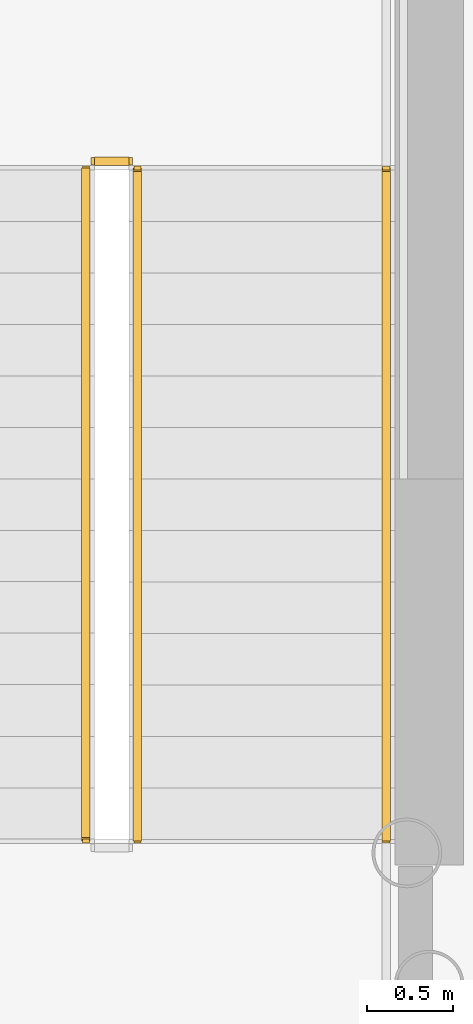
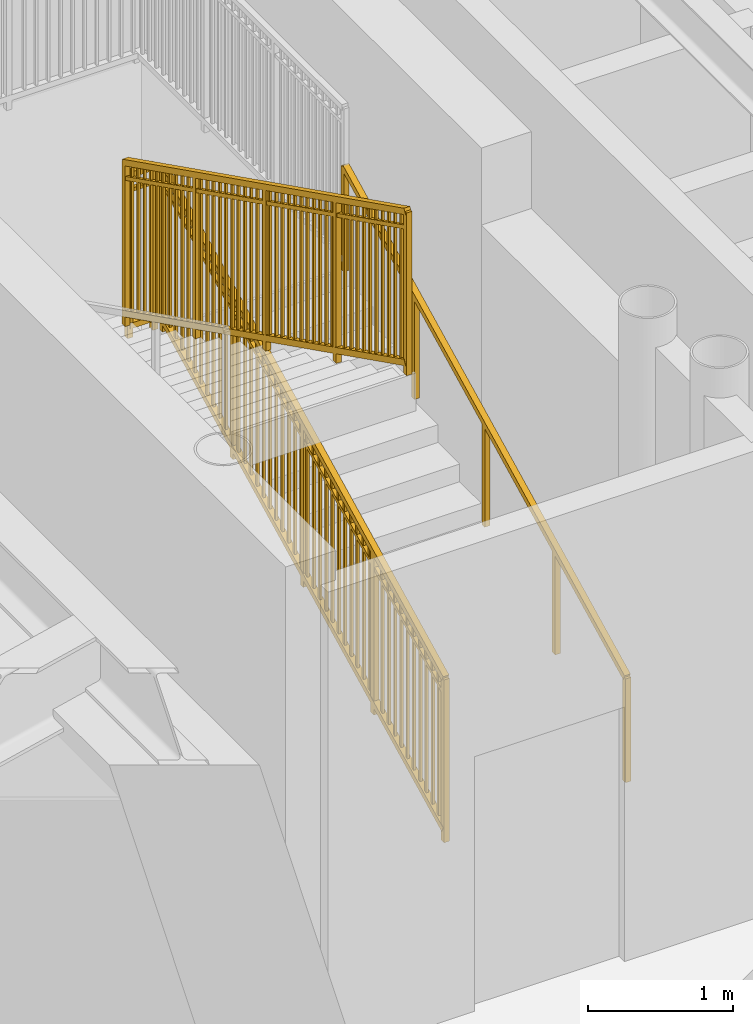
# One storey, part 19 of 24: 4 railings.
"""IFC4 building model written with IfcOpenShell, lengths in metres."""

from ifc_helpers import new_model, si_unit, direction, frame, origin, origin_2d, place, context, subcontext, project, spatial, rectangle, extrude, source, transform, mapped, material, type_object, element, save


model = new_model("IFC4")

# Units and contexts
model_context = context("Model", 3, precision=1e-05, world=origin(), true_north=direction((0.0, 1.0)))
body_context = subcontext(model_context, "Body", "Model", "MODEL_VIEW")
ifc_project = project(units=[si_unit("LENGTHUNIT", "METRE"), si_unit("AREAUNIT", "SQUARE_METRE"), si_unit("VOLUMEUNIT", "CUBIC_METRE"), si_unit("PLANEANGLEUNIT", "RADIAN"), si_unit("MASSUNIT", "GRAM", prefix="KILO")], contexts=[model_context])

# Site, building, storey
site_placement = place(None, origin())
site = spatial("IfcSite", under=ifc_project, at=site_placement, CompositionType="ELEMENT")
building_placement = place(site_placement, origin())
building = spatial("IfcBuilding", under=site, at=building_placement, Name="Linh Dai School and Residence Tower", CompositionType="ELEMENT")
storey_placement = place(building_placement, frame((0.0, 0.0, 70.199951171875)))
storey = spatial("IfcBuildingStorey", under=building, at=storey_placement, Name="L16", CompositionType="ELEMENT", Elevation=70.199951171875)

# Railings
ifc_material_1 = material(Name="Structural Steel S355JR", Category="steel")
railing_type_1 = type_object("IfcRailingType", Name="RL-ST-GUARD-1400", PredefinedType="GUARDRAIL", material=ifc_material_1)
shared_shape_1 = source(origin(), body_context, "Body", "SweptSolid", [
    extrude(rectangle(XDim=0.048095703125, YDim=0.048095703125, at=origin_2d()), frame((0.0, 0.0, 1.3759765625), z_axis=(-1.0, 0.0, 0.0), x_axis=(0.0, -1.0, 0.0)), (0.0, 0.0, 1.0), 0.199951171875),
    extrude(rectangle(XDim=0.048095703125, YDim=0.048095703125, at=origin_2d()), frame((0.0, 0.0, 0.10009765625), z_axis=(-1.0, 0.0, 0.0), x_axis=(0.0, -1.0, 0.0)), (0.0, 0.0, 1.0), 0.199951171875),
    extrude(rectangle(XDim=0.030029296875, YDim=0.030029296875, at=origin_2d()), frame((0.0, 0.0, 1.239990234375), z_axis=(-1.0, 0.0, 0.0), x_axis=(0.0, -1.0, 0.0)), (0.0, 0.0, 1.0), 0.199951171875),
    extrude(rectangle(XDim=0.0419921875, YDim=0.0419921875, at=origin_2d()), origin(), (0.0, 0.0, 1.0), 1.3759765625),
    extrude(rectangle(XDim=0.0419921875, YDim=0.0419921875, at=origin_2d()), frame((-0.199951171875, 0.0, 0.0)), (0.0, 0.0, 1.0), 1.3759765625),
])
railing_1_placement = place(storey_placement, frame((29.429931640625, 29.64990234375, 2.10009765625)))
element("IfcRailing", 1, at=railing_1_placement, inside=storey, type_object=railing_type_1, Name="L16 ST1 stair guard 2", PredefinedType="GUARDRAIL", context=body_context, shape_type="MappedRepresentation", body=[
    mapped(shared_shape_1, transform((0.0, 0.0, 0.0), x_axis=(1.0, 0.0, 0.0), y_axis=(0.0, 1.0, 0.0), z_axis=(0.0, 0.0, 1.0), scale=1.0)),
])
shared_shape_2 = source(origin(), body_context, "Body", "SweptSolid", [
    extrude(rectangle(XDim=0.048095703125, YDim=0.048095703125, at=origin_2d()), frame((0.0, 0.0, 1.3759765625), z_axis=(0.0, -0.894438388696, 0.447191199406), x_axis=(1.0, 0.0, 0.0)), (0.0, 0.0, 1.0), 4.3603515625),
    extrude(rectangle(XDim=0.048095703125, YDim=0.048095703125, at=origin_2d()), frame((0.0, 0.0, 0.10009765625), z_axis=(0.0, -0.894438388696, 0.447191199406), x_axis=(1.0, 0.0, 0.0)), (0.0, 0.0, 1.0), 4.3603515625),
    extrude(rectangle(XDim=0.030029296875, YDim=0.030029296875, at=origin_2d()), frame((0.0, 0.0, 1.239990234375), z_axis=(0.0, -0.894438388696, 0.447191199406), x_axis=(1.0, 0.0, 0.0)), (0.0, 0.0, 1.0), 4.3603515625),
    extrude(rectangle(XDim=0.02001953125, YDim=0.02001953125, at=origin_2d()), frame((0.0, -0.086669921875, 0.143310546875)), (0.0, 0.0, 1.0), 1.251708984375),
    extrude(rectangle(XDim=0.02001953125, YDim=0.02001953125, at=origin_2d()), frame((0.0, -0.17333984375, 0.186767578125)), (0.0, 0.0, 1.0), 1.251708984375),
    extrude(rectangle(XDim=0.02001953125, YDim=0.02001953125, at=origin_2d()), frame((0.0, -0.260009765625, 0.22998046875)), (0.0, 0.0, 1.0), 1.251708984375),
    extrude(rectangle(XDim=0.02001953125, YDim=0.02001953125, at=origin_2d()), frame((0.0, -0.3466796875, 0.2734375)), (0.0, 0.0, 1.0), 1.251708984375),
    extrude(rectangle(XDim=0.02001953125, YDim=0.02001953125, at=origin_2d()), frame((0.0, -0.433349609375, 0.316650390625)), (0.0, 0.0, 1.0), 1.251708984375),
    extrude(rectangle(XDim=0.02001953125, YDim=0.02001953125, at=origin_2d()), frame((0.0, -0.52001953125, 0.360107421875)), (0.0, 0.0, 1.0), 1.251708984375),
    extrude(rectangle(XDim=0.02001953125, YDim=0.02001953125, at=origin_2d()), frame((0.0, -0.606689453125, 0.4033203125)), (0.0, 0.0, 1.0), 1.251708984375),
    extrude(rectangle(XDim=0.02001953125, YDim=0.02001953125, at=origin_2d()), frame((0.0, -0.693359375, 0.44677734375)), (0.0, 0.0, 1.0), 1.251708984375),
    extrude(rectangle(XDim=0.02001953125, YDim=0.02001953125, at=origin_2d()), frame((0.0, -0.780029296875, 0.489990234375)), (0.0, 0.0, 1.0), 1.251708984375),
    extrude(rectangle(XDim=0.02001953125, YDim=0.02001953125, at=origin_2d()), frame((0.0, -0.86669921875, 0.533447265625)), (0.0, 0.0, 1.0), 1.251708984375),
    extrude(rectangle(XDim=0.02001953125, YDim=0.02001953125, at=origin_2d()), frame((0.0, -1.0400390625, 0.6201171875)), (0.0, 0.0, 1.0), 1.251708984375),
    extrude(rectangle(XDim=0.02001953125, YDim=0.02001953125, at=origin_2d()), frame((0.0, -1.126708984375, 0.663330078125)), (0.0, 0.0, 1.0), 1.251708984375),
    extrude(rectangle(XDim=0.02001953125, YDim=0.02001953125, at=origin_2d()), frame((0.0, -1.21337890625, 0.706787109375)), (0.0, 0.0, 1.0), 1.251708984375),
    extrude(rectangle(XDim=0.02001953125, YDim=0.02001953125, at=origin_2d()), frame((0.0, -1.300048828125, 0.75)), (0.0, 0.0, 1.0), 1.251708984375),
    extrude(rectangle(XDim=0.02001953125, YDim=0.02001953125, at=origin_2d()), frame((0.0, -1.38671875, 0.79345703125)), (0.0, 0.0, 1.0), 1.251708984375),
    extrude(rectangle(XDim=0.02001953125, YDim=0.02001953125, at=origin_2d()), frame((0.0, -1.473388671875, 0.836669921875)), (0.0, 0.0, 1.0), 1.251708984375),
    extrude(rectangle(XDim=0.02001953125, YDim=0.02001953125, at=origin_2d()), frame((0.0, -1.56005859375, 0.880126953125)), (0.0, 0.0, 1.0), 1.251708984375),
    extrude(rectangle(XDim=0.02001953125, YDim=0.02001953125, at=origin_2d()), frame((0.0, -1.646728515625, 0.92333984375)), (0.0, 0.0, 1.0), 1.251708984375),
    extrude(rectangle(XDim=0.02001953125, YDim=0.02001953125, at=origin_2d()), frame((0.0, -1.7333984375, 0.966796875)), (0.0, 0.0, 1.0), 1.251708984375),
    extrude(rectangle(XDim=0.02001953125, YDim=0.02001953125, at=origin_2d()), frame((0.0, -1.820068359375, 1.010009765625)), (0.0, 0.0, 1.0), 1.251708984375),
    extrude(rectangle(XDim=0.02001953125, YDim=0.02001953125, at=origin_2d()), frame((0.0, -1.90673828125, 1.053466796875)), (0.0, 0.0, 1.0), 1.251708984375),
    extrude(rectangle(XDim=0.02001953125, YDim=0.02001953125, at=origin_2d()), frame((0.0, -1.993408203125, 1.0966796875)), (0.0, 0.0, 1.0), 1.251708984375),
    extrude(rectangle(XDim=0.02001953125, YDim=0.02001953125, at=origin_2d()), frame((0.0, -2.080078125, 1.14013671875)), (0.0, 0.0, 1.0), 1.251708984375),
    extrude(rectangle(XDim=0.02001953125, YDim=0.02001953125, at=origin_2d()), frame((0.0, -2.166748046875, 1.183349609375)), (0.0, 0.0, 1.0), 1.251708984375),
    extrude(rectangle(XDim=0.02001953125, YDim=0.02001953125, at=origin_2d()), frame((0.0, -2.25341796875, 1.226806640625)), (0.0, 0.0, 1.0), 1.251708984375),
    extrude(rectangle(XDim=0.02001953125, YDim=0.02001953125, at=origin_2d()), frame((0.0, -2.340087890625, 1.27001953125)), (0.0, 0.0, 1.0), 1.251708984375),
    extrude(rectangle(XDim=0.02001953125, YDim=0.02001953125, at=origin_2d()), frame((0.0, -2.4267578125, 1.3134765625)), (0.0, 0.0, 1.0), 1.251708984375),
    extrude(rectangle(XDim=0.02001953125, YDim=0.02001953125, at=origin_2d()), frame((0.0, -2.513427734375, 1.356689453125)), (0.0, 0.0, 1.0), 1.251708984375),
    extrude(rectangle(XDim=0.02001953125, YDim=0.02001953125, at=origin_2d()), frame((0.0, -2.60009765625, 1.400146484375)), (0.0, 0.0, 1.0), 1.251708984375),
    extrude(rectangle(XDim=0.02001953125, YDim=0.02001953125, at=origin_2d()), frame((0.0, -2.686767578125, 1.443359375)), (0.0, 0.0, 1.0), 1.251708984375),
    extrude(rectangle(XDim=0.02001953125, YDim=0.02001953125, at=origin_2d()), frame((0.0, -2.7734375, 1.48681640625)), (0.0, 0.0, 1.0), 1.251708984375),
    extrude(rectangle(XDim=0.02001953125, YDim=0.02001953125, at=origin_2d()), frame((0.0, -2.860107421875, 1.530029296875)), (0.0, 0.0, 1.0), 1.251708984375),
    extrude(rectangle(XDim=0.02001953125, YDim=0.02001953125, at=origin_2d()), frame((0.0, -3.033447265625, 1.61669921875)), (0.0, 0.0, 1.0), 1.251708984375),
    extrude(rectangle(XDim=0.02001953125, YDim=0.02001953125, at=origin_2d()), frame((0.0, -3.1201171875, 1.66015625)), (0.0, 0.0, 1.0), 1.251708984375),
    extrude(rectangle(XDim=0.02001953125, YDim=0.02001953125, at=origin_2d()), frame((0.0, -3.206787109375, 1.703369140625)), (0.0, 0.0, 1.0), 1.251708984375),
    extrude(rectangle(XDim=0.02001953125, YDim=0.02001953125, at=origin_2d()), frame((0.0, -3.29345703125, 1.746826171875)), (0.0, 0.0, 1.0), 1.251708984375),
    extrude(rectangle(XDim=0.02001953125, YDim=0.02001953125, at=origin_2d()), frame((0.0, -3.380126953125, 1.7900390625)), (0.0, 0.0, 1.0), 1.251708984375),
    extrude(rectangle(XDim=0.02001953125, YDim=0.02001953125, at=origin_2d()), frame((0.0, -3.466796875, 1.83349609375)), (0.0, 0.0, 1.0), 1.251708984375),
    extrude(rectangle(XDim=0.02001953125, YDim=0.02001953125, at=origin_2d()), frame((0.0, -3.553466796875, 1.876708984375)), (0.0, 0.0, 1.0), 1.251708984375),
    extrude(rectangle(XDim=0.02001953125, YDim=0.02001953125, at=origin_2d()), frame((0.0, -3.64013671875, 1.920166015625)), (0.0, 0.0, 1.0), 1.251708984375),
    extrude(rectangle(XDim=0.02001953125, YDim=0.02001953125, at=origin_2d()), frame((0.0, -3.726806640625, 1.96337890625)), (0.0, 0.0, 1.0), 1.251708984375),
    extrude(rectangle(XDim=0.02001953125, YDim=0.02001953125, at=origin_2d()), frame((0.0, -3.8134765625, 2.0068359375)), (0.0, 0.0, 1.0), 1.251708984375),
    extrude(rectangle(XDim=0.0419921875, YDim=0.0419921875, at=origin_2d()), origin(), (0.0, 0.0, 1.0), 1.3759765625),
    extrude(rectangle(XDim=0.0419921875, YDim=0.0419921875, at=origin_2d()), frame((0.0, -0.97509765625, 0.487548828125)), (0.0, 0.0, 1.0), 1.3759765625),
    extrude(rectangle(XDim=0.0419921875, YDim=0.0419921875, at=origin_2d()), frame((0.0, -1.9501953125, 0.97509765625)), (0.0, 0.0, 1.0), 1.3759765625),
    extrude(rectangle(XDim=0.0419921875, YDim=0.0419921875, at=origin_2d()), frame((0.0, -2.925048828125, 1.46240234375)), (0.0, 0.0, 1.0), 1.3759765625),
    extrude(rectangle(XDim=0.0419921875, YDim=0.0419921875, at=origin_2d()), frame((0.0, -3.900146484375, 1.949951171875)), (0.0, 0.0, 1.0), 1.3759765625),
])
railing_2_placement = place(storey_placement, frame((29.179931640625, 29.60009765625, 2.25)))
element("IfcRailing", 2, at=railing_2_placement, inside=storey, type_object=railing_type_1, Name="L16 ST1 stair guard 6", PredefinedType="GUARDRAIL", context=body_context, shape_type="MappedRepresentation", body=[
    mapped(shared_shape_2, transform((0.0, 0.0, 0.0), x_axis=(1.0, 0.0, 0.0), y_axis=(0.0, 1.0, 0.0), z_axis=(0.0, 0.0, 1.0), scale=1.0)),
])
shared_shape_3 = source(origin(), body_context, "Body", "SweptSolid", [
    extrude(rectangle(XDim=0.048095703125, YDim=0.048095703125, at=origin_2d()), frame((0.0, 0.0, 1.3759765625), z_axis=(0.0, 0.894438388696, 0.447191199406), x_axis=(-1.0, 0.0, 0.0)), (0.0, 0.0, 1.0), 4.3603515625),
    extrude(rectangle(XDim=0.048095703125, YDim=0.048095703125, at=origin_2d()), frame((0.0, 0.0, 0.10009765625), z_axis=(0.0, 0.894438388696, 0.447191199406), x_axis=(-1.0, 0.0, 0.0)), (0.0, 0.0, 1.0), 4.3603515625),
    extrude(rectangle(XDim=0.030029296875, YDim=0.030029296875, at=origin_2d()), frame((0.0, 0.0, 1.239990234375), z_axis=(0.0, 0.894438388696, 0.447191199406), x_axis=(-1.0, 0.0, 0.0)), (0.0, 0.0, 1.0), 4.3603515625),
    extrude(rectangle(XDim=0.02001953125, YDim=0.02001953125, at=origin_2d()), frame((0.0, 0.086669921875, 0.143310546875)), (0.0, 0.0, 1.0), 1.251708984375),
    extrude(rectangle(XDim=0.02001953125, YDim=0.02001953125, at=origin_2d()), frame((0.0, 0.17333984375, 0.186767578125)), (0.0, 0.0, 1.0), 1.251708984375),
    extrude(rectangle(XDim=0.02001953125, YDim=0.02001953125, at=origin_2d()), frame((0.0, 0.260009765625, 0.22998046875)), (0.0, 0.0, 1.0), 1.251708984375),
    extrude(rectangle(XDim=0.02001953125, YDim=0.02001953125, at=origin_2d()), frame((0.0, 0.3466796875, 0.2734375)), (0.0, 0.0, 1.0), 1.251708984375),
    extrude(rectangle(XDim=0.02001953125, YDim=0.02001953125, at=origin_2d()), frame((0.0, 0.433349609375, 0.316650390625)), (0.0, 0.0, 1.0), 1.251708984375),
    extrude(rectangle(XDim=0.02001953125, YDim=0.02001953125, at=origin_2d()), frame((0.0, 0.52001953125, 0.360107421875)), (0.0, 0.0, 1.0), 1.251708984375),
    extrude(rectangle(XDim=0.02001953125, YDim=0.02001953125, at=origin_2d()), frame((0.0, 0.606689453125, 0.4033203125)), (0.0, 0.0, 1.0), 1.251708984375),
    extrude(rectangle(XDim=0.02001953125, YDim=0.02001953125, at=origin_2d()), frame((0.0, 0.693359375, 0.44677734375)), (0.0, 0.0, 1.0), 1.251708984375),
    extrude(rectangle(XDim=0.02001953125, YDim=0.02001953125, at=origin_2d()), frame((0.0, 0.780029296875, 0.489990234375)), (0.0, 0.0, 1.0), 1.251708984375),
    extrude(rectangle(XDim=0.02001953125, YDim=0.02001953125, at=origin_2d()), frame((0.0, 0.86669921875, 0.533447265625)), (0.0, 0.0, 1.0), 1.251708984375),
    extrude(rectangle(XDim=0.02001953125, YDim=0.02001953125, at=origin_2d()), frame((0.0, 1.0400390625, 0.6201171875)), (0.0, 0.0, 1.0), 1.251708984375),
    extrude(rectangle(XDim=0.02001953125, YDim=0.02001953125, at=origin_2d()), frame((0.0, 1.126708984375, 0.663330078125)), (0.0, 0.0, 1.0), 1.251708984375),
    extrude(rectangle(XDim=0.02001953125, YDim=0.02001953125, at=origin_2d()), frame((0.0, 1.21337890625, 0.706787109375)), (0.0, 0.0, 1.0), 1.251708984375),
    extrude(rectangle(XDim=0.02001953125, YDim=0.02001953125, at=origin_2d()), frame((0.0, 1.300048828125, 0.75)), (0.0, 0.0, 1.0), 1.251708984375),
    extrude(rectangle(XDim=0.02001953125, YDim=0.02001953125, at=origin_2d()), frame((0.0, 1.38671875, 0.79345703125)), (0.0, 0.0, 1.0), 1.251708984375),
    extrude(rectangle(XDim=0.02001953125, YDim=0.02001953125, at=origin_2d()), frame((0.0, 1.473388671875, 0.836669921875)), (0.0, 0.0, 1.0), 1.251708984375),
    extrude(rectangle(XDim=0.02001953125, YDim=0.02001953125, at=origin_2d()), frame((0.0, 1.56005859375, 0.880126953125)), (0.0, 0.0, 1.0), 1.251708984375),
    extrude(rectangle(XDim=0.02001953125, YDim=0.02001953125, at=origin_2d()), frame((0.0, 1.646728515625, 0.92333984375)), (0.0, 0.0, 1.0), 1.251708984375),
    extrude(rectangle(XDim=0.02001953125, YDim=0.02001953125, at=origin_2d()), frame((0.0, 1.7333984375, 0.966796875)), (0.0, 0.0, 1.0), 1.251708984375),
    extrude(rectangle(XDim=0.02001953125, YDim=0.02001953125, at=origin_2d()), frame((0.0, 1.820068359375, 1.010009765625)), (0.0, 0.0, 1.0), 1.251708984375),
    extrude(rectangle(XDim=0.02001953125, YDim=0.02001953125, at=origin_2d()), frame((0.0, 1.90673828125, 1.053466796875)), (0.0, 0.0, 1.0), 1.251708984375),
    extrude(rectangle(XDim=0.02001953125, YDim=0.02001953125, at=origin_2d()), frame((0.0, 1.993408203125, 1.0966796875)), (0.0, 0.0, 1.0), 1.251708984375),
    extrude(rectangle(XDim=0.02001953125, YDim=0.02001953125, at=origin_2d()), frame((0.0, 2.080078125, 1.14013671875)), (0.0, 0.0, 1.0), 1.251708984375),
    extrude(rectangle(XDim=0.02001953125, YDim=0.02001953125, at=origin_2d()), frame((0.0, 2.166748046875, 1.183349609375)), (0.0, 0.0, 1.0), 1.251708984375),
    extrude(rectangle(XDim=0.02001953125, YDim=0.02001953125, at=origin_2d()), frame((0.0, 2.25341796875, 1.226806640625)), (0.0, 0.0, 1.0), 1.251708984375),
    extrude(rectangle(XDim=0.02001953125, YDim=0.02001953125, at=origin_2d()), frame((0.0, 2.340087890625, 1.27001953125)), (0.0, 0.0, 1.0), 1.251708984375),
    extrude(rectangle(XDim=0.02001953125, YDim=0.02001953125, at=origin_2d()), frame((0.0, 2.4267578125, 1.3134765625)), (0.0, 0.0, 1.0), 1.251708984375),
    extrude(rectangle(XDim=0.02001953125, YDim=0.02001953125, at=origin_2d()), frame((0.0, 2.513427734375, 1.356689453125)), (0.0, 0.0, 1.0), 1.251708984375),
    extrude(rectangle(XDim=0.02001953125, YDim=0.02001953125, at=origin_2d()), frame((0.0, 2.60009765625, 1.400146484375)), (0.0, 0.0, 1.0), 1.251708984375),
    extrude(rectangle(XDim=0.02001953125, YDim=0.02001953125, at=origin_2d()), frame((0.0, 2.686767578125, 1.443359375)), (0.0, 0.0, 1.0), 1.251708984375),
    extrude(rectangle(XDim=0.02001953125, YDim=0.02001953125, at=origin_2d()), frame((0.0, 2.7734375, 1.48681640625)), (0.0, 0.0, 1.0), 1.251708984375),
    extrude(rectangle(XDim=0.02001953125, YDim=0.02001953125, at=origin_2d()), frame((0.0, 2.860107421875, 1.530029296875)), (0.0, 0.0, 1.0), 1.251708984375),
    extrude(rectangle(XDim=0.02001953125, YDim=0.02001953125, at=origin_2d()), frame((0.0, 3.033447265625, 1.61669921875)), (0.0, 0.0, 1.0), 1.251708984375),
    extrude(rectangle(XDim=0.02001953125, YDim=0.02001953125, at=origin_2d()), frame((0.0, 3.1201171875, 1.66015625)), (0.0, 0.0, 1.0), 1.251708984375),
    extrude(rectangle(XDim=0.02001953125, YDim=0.02001953125, at=origin_2d()), frame((0.0, 3.206787109375, 1.703369140625)), (0.0, 0.0, 1.0), 1.251708984375),
    extrude(rectangle(XDim=0.02001953125, YDim=0.02001953125, at=origin_2d()), frame((0.0, 3.29345703125, 1.746826171875)), (0.0, 0.0, 1.0), 1.251708984375),
    extrude(rectangle(XDim=0.02001953125, YDim=0.02001953125, at=origin_2d()), frame((0.0, 3.380126953125, 1.7900390625)), (0.0, 0.0, 1.0), 1.251708984375),
    extrude(rectangle(XDim=0.02001953125, YDim=0.02001953125, at=origin_2d()), frame((0.0, 3.466796875, 1.83349609375)), (0.0, 0.0, 1.0), 1.251708984375),
    extrude(rectangle(XDim=0.02001953125, YDim=0.02001953125, at=origin_2d()), frame((0.0, 3.553466796875, 1.876708984375)), (0.0, 0.0, 1.0), 1.251708984375),
    extrude(rectangle(XDim=0.02001953125, YDim=0.02001953125, at=origin_2d()), frame((0.0, 3.64013671875, 1.920166015625)), (0.0, 0.0, 1.0), 1.251708984375),
    extrude(rectangle(XDim=0.02001953125, YDim=0.02001953125, at=origin_2d()), frame((0.0, 3.726806640625, 1.96337890625)), (0.0, 0.0, 1.0), 1.251708984375),
    extrude(rectangle(XDim=0.02001953125, YDim=0.02001953125, at=origin_2d()), frame((0.0, 3.8134765625, 2.0068359375)), (0.0, 0.0, 1.0), 1.251708984375),
    extrude(rectangle(XDim=0.0419921875, YDim=0.0419921875, at=origin_2d()), origin(), (0.0, 0.0, 1.0), 1.3759765625),
    extrude(rectangle(XDim=0.0419921875, YDim=0.0419921875, at=origin_2d()), frame((0.0, 0.97509765625, 0.487548828125)), (0.0, 0.0, 1.0), 1.3759765625),
    extrude(rectangle(XDim=0.0419921875, YDim=0.0419921875, at=origin_2d()), frame((0.0, 1.9501953125, 0.97509765625)), (0.0, 0.0, 1.0), 1.3759765625),
    extrude(rectangle(XDim=0.0419921875, YDim=0.0419921875, at=origin_2d()), frame((0.0, 2.925048828125, 1.46240234375)), (0.0, 0.0, 1.0), 1.3759765625),
    extrude(rectangle(XDim=0.0419921875, YDim=0.0419921875, at=origin_2d()), frame((0.0, 3.900146484375, 1.949951171875)), (0.0, 0.0, 1.0), 1.3759765625),
])
railing_3_placement = place(storey_placement, frame((29.47998046875, 25.699951171875, 0.150146484375)))
element("IfcRailing", 3, at=railing_3_placement, inside=storey, type_object=railing_type_1, Name="L16 ST1 stair guard 1", PredefinedType="GUARDRAIL", context=body_context, shape_type="MappedRepresentation", body=[
    mapped(shared_shape_3, transform((0.0, 0.0, 0.0), x_axis=(1.0, 0.0, 0.0), y_axis=(0.0, 1.0, 0.0), z_axis=(0.0, 0.0, 1.0), scale=1.0)),
])
ifc_material_2 = material(Name="Brushed Stainless Steel Handrail", Category="steel")
railing_type_2 = type_object("IfcRailingType", Name="RL-ST-HANDRAIL-900", PredefinedType="HANDRAIL", material=ifc_material_2)
shared_shape_4 = source(origin(), body_context, "Body", "SweptSolid", [
    extrude(rectangle(XDim=0.048095703125, YDim=0.048095703125, at=origin_2d()), frame((0.0, 0.0, 0.8759765625), z_axis=(0.0, 0.894438388696, 0.447191199406), x_axis=(-1.0, 0.0, 0.0)), (0.0, 0.0, 1.0), 4.3603515625),
    extrude(rectangle(XDim=0.0419921875, YDim=0.0419921875, at=origin_2d()), origin(), (0.0, 0.0, 1.0), 0.8759765625),
    extrude(rectangle(XDim=0.0419921875, YDim=0.0419921875, at=origin_2d()), frame((0.0, 0.97509765625, 0.487548828125)), (0.0, 0.0, 1.0), 0.8759765625),
    extrude(rectangle(XDim=0.0419921875, YDim=0.0419921875, at=origin_2d()), frame((0.0, 1.9501953125, 0.97509765625)), (0.0, 0.0, 1.0), 0.8759765625),
    extrude(rectangle(XDim=0.0419921875, YDim=0.0419921875, at=origin_2d()), frame((0.0, 2.925048828125, 1.46240234375)), (0.0, 0.0, 1.0), 0.8759765625),
    extrude(rectangle(XDim=0.0419921875, YDim=0.0419921875, at=origin_2d()), frame((0.0, 3.900146484375, 1.949951171875)), (0.0, 0.0, 1.0), 0.8759765625),
])
railing_4_placement = place(storey_placement, frame((30.929931640625, 25.699951171875, 0.150146484375)))
element("IfcRailing", 4, at=railing_4_placement, inside=storey, type_object=railing_type_2, Name="L16 ST1 stair handrail 1", PredefinedType="HANDRAIL", context=body_context, shape_type="MappedRepresentation", body=[
    mapped(shared_shape_4, transform((0.0, 0.0, 0.0), x_axis=(1.0, 0.0, 0.0), y_axis=(0.0, 1.0, 0.0), z_axis=(0.0, 0.0, 1.0), scale=1.0)),
])

save(model, "model.ifc")
